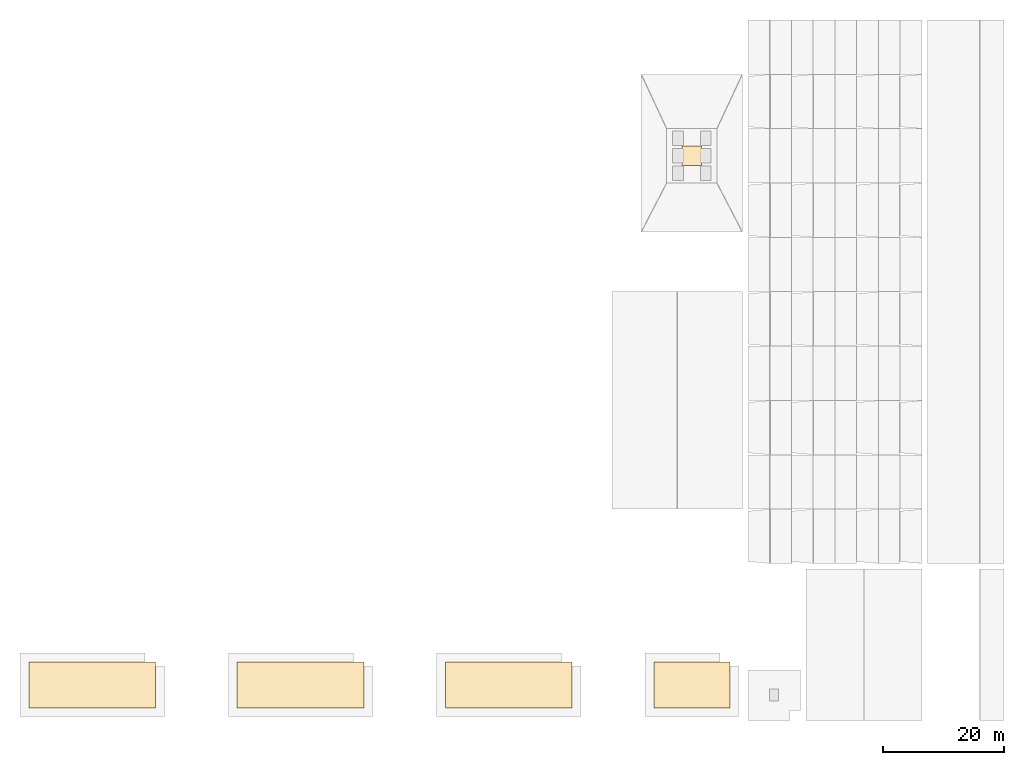
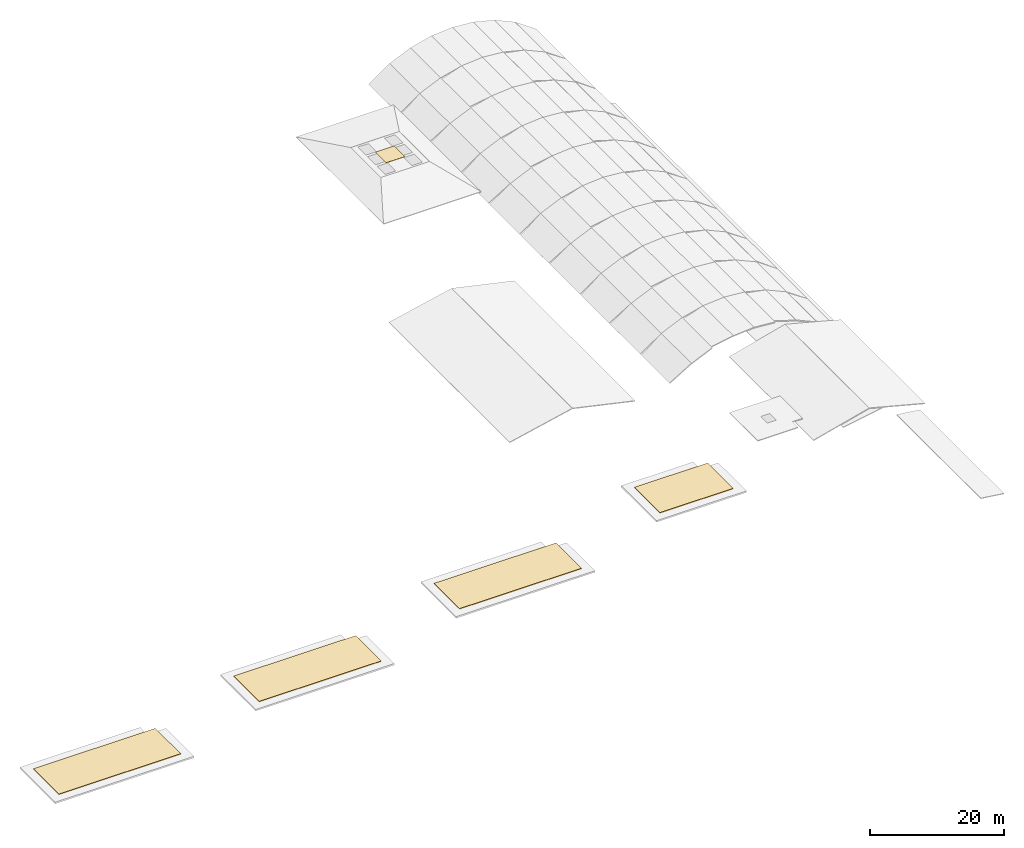
# One storey, part 3 of 3: 5 coverings.
"""IFC4 building model written with IfcOpenShell, lengths in metres."""

from ifc_helpers import new_model, si_unit, direction, frame, origin, origin_2d, place, context, subcontext, project, spatial, rectangle, extrude, material, layer, layer_set, type_object, element, save


model = new_model("IFC4")

# Units and contexts
model_context = context("Model", 3, precision=1e-05, world=origin(), true_north=direction((0.0, 1.0)))
body_context = subcontext(model_context, "Body", "Model", "MODEL_VIEW")
ifc_project = project(units=[si_unit("LENGTHUNIT", "METRE"), si_unit("AREAUNIT", "SQUARE_METRE"), si_unit("VOLUMEUNIT", "CUBIC_METRE"), si_unit("PLANEANGLEUNIT", "RADIAN"), si_unit("MASSUNIT", "GRAM", prefix="KILO")], contexts=[model_context])

# Site, building, storey
site_placement = place(None, origin())
site = spatial("IfcSite", under=ifc_project, at=site_placement, CompositionType="ELEMENT")
building_placement = place(site_placement, origin())
building = spatial("IfcBuilding", under=site, at=building_placement, Name="Canglan Escarpment Cableway Terminal", CompositionType="ELEMENT")
storey_placement = place(building_placement, frame((0.0, 0.0, 33.60009765625)))
storey = spatial("IfcBuildingStorey", under=building, at=storey_placement, Name="RF", CompositionType="ELEMENT", Elevation=33.60009765625)

# Coverings
ifc_material_1 = material(Name="Planted extensive sedum green roof assembly", Category="earth")
ifc_layer_1 = layer(ifc_material_1, 0.090087890625, Name="Planted extensive sedum green roof assembly")
ifc_layer_set_1 = layer_set([ifc_layer_1], Name="Planted extensive sedum green roof assembly")
covering_type_1 = type_object("IfcCoveringType", Name="COV-ROOF-GREEN", PredefinedType="ROOFING", material=ifc_layer_set_1)
for number, where, z_axis, x_axis, name in (
    (1, (29.0, 13.89990234375, -24.0), (0.0, 0.0, 1.0), (1.0, 0.0, 0.0), "Planted extensive sedum green roof garden RF-G1"),
    (2, (63.5, 13.89990234375, -19.2001953125), (0.0, 0.0, 1.0), (1.0, 0.0, 0.0), "Planted extensive sedum green roof garden RF-G1"),
    (3, (98.0, 13.89990234375, -14.39990234375), (0.0, 0.0, 1.0), (1.0, 0.0, 0.0), "Planted extensive sedum green roof garden RF-G1"),
):
    element("IfcCovering", number, at=place(storey_placement, frame(where, z_axis=z_axis, x_axis=x_axis)), inside=storey, type_object=covering_type_1, Name=name, PredefinedType="ROOFING", context=body_context, shape_type="SweptSolid", body=[
        extrude(rectangle(XDim=21.0, YDim=7.60009765625, at=origin_2d()), origin(), (0.0, 0.0, 1.0), 0.090087890625),
    ])
covering_1_placement = place(storey_placement, frame((128.300048828125, 13.89990234375, -9.0), z_axis=(0.0, 0.0, 1.0), x_axis=(1.0, 0.0, 0.0)))
element("IfcCovering", 4, at=covering_1_placement, inside=storey, type_object=covering_type_1, Name="Planted extensive sedum green roof garden RF-G1", PredefinedType="ROOFING", context=body_context, shape_type="SweptSolid", body=[
    extrude(rectangle(XDim=12.60009765625, YDim=7.60009765625, at=origin_2d()), origin(), (0.0, 0.0, 1.0), 0.090087890625),
])
ifc_material_2 = material(Name="Standing-seam zinc-titanium roofing", Category="steel")
ifc_layer_2 = layer(ifc_material_2, 0.0400390625, Name="Standing-seam zinc-titanium roofing")
ifc_layer_set_2 = layer_set([ifc_layer_2], Name="Standing-seam zinc-titanium roofing")
covering_type_2 = type_object("IfcCoveringType", Name="COV-ROOF-ZINC", PredefinedType="ROOFING", material=ifc_layer_set_2)
covering_2_placement = place(storey_placement, frame((128.300048828125, 101.5, -1.39013671875), z_axis=(0.0, 0.0, 1.0), x_axis=(1.0, 0.0, 0.0)))
element("IfcCovering", 5, at=covering_2_placement, inside=storey, type_object=covering_type_2, Name="Standing-seam zinc-titanium roof panel RF-Z1", PredefinedType="ROOFING", context=body_context, shape_type="SweptSolid", body=[
    extrude(rectangle(XDim=3.199951171875, YDim=3.199951171875, at=origin_2d()), origin(), (0.0, 0.0, 1.0), 0.0400390625),
])

save(model, "model.ifc")
